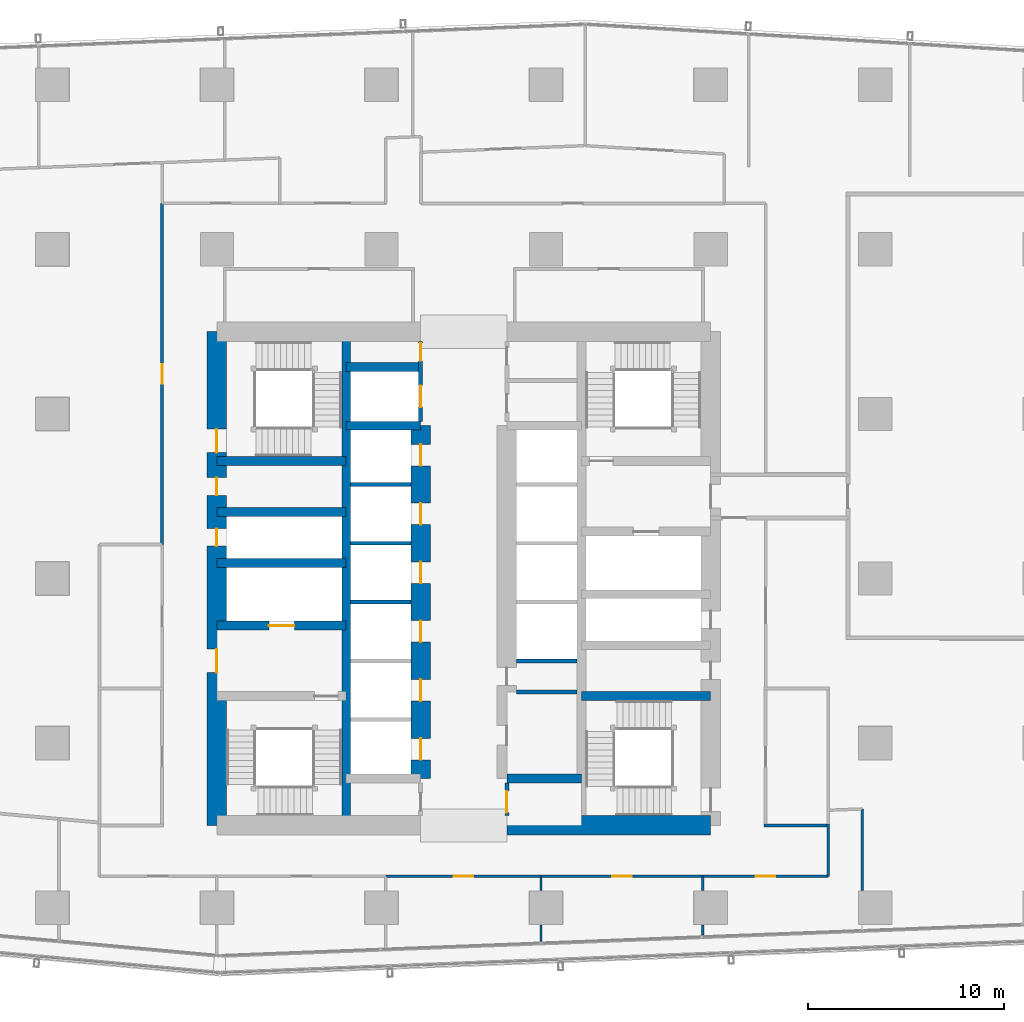
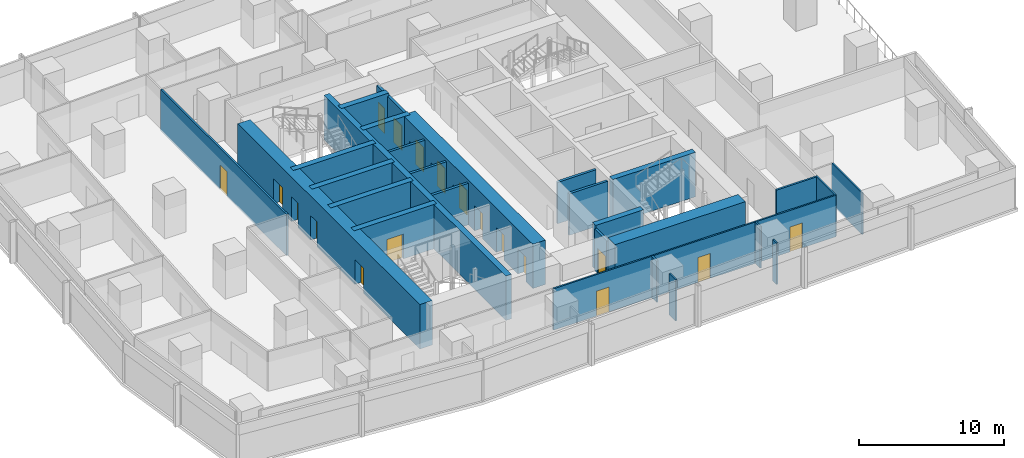
# One storey, part 29 of 40: 30 walls, 18 doors, 18 openings.
"""IFC4 building model written with IfcOpenShell, lengths in metres."""

from ifc_helpers import new_model, si_unit, direction, frame, frame_2d, origin, place, context, subcontext, project, spatial, rectangle, extrude, material, layer, layer_set, type_object, element, fill, save


model = new_model("IFC4")

# Units and contexts
model_context = context("Model", 3, precision=1e-05, world=origin(), true_north=direction((0.0, 1.0)))
body_context = subcontext(model_context, "Body", "Model", "MODEL_VIEW")
ifc_project = project(units=[si_unit("LENGTHUNIT", "METRE"), si_unit("AREAUNIT", "SQUARE_METRE"), si_unit("VOLUMEUNIT", "CUBIC_METRE"), si_unit("PLANEANGLEUNIT", "RADIAN"), si_unit("MASSUNIT", "GRAM", prefix="KILO")], contexts=[model_context])

# Site, building, storey
site_placement = place(None, origin())
site = spatial("IfcSite", under=ifc_project, at=site_placement, CompositionType="ELEMENT")
building_placement = place(site_placement, origin())
building = spatial("IfcBuilding", under=site, at=building_placement, Name="Rekha Terrace Tower", CompositionType="ELEMENT")
storey_placement = place(building_placement, frame((0.0, 0.0, 99.050048828125)))
storey = spatial("IfcBuildingStorey", under=building, at=storey_placement, Name="L24", CompositionType="ELEMENT", Elevation=99.050048828125)

# Walls
ifc_material_1 = material(Name="Concrete M70", Category="concrete")
ifc_layer_1 = layer(ifc_material_1, 0.449951171875)
ifc_layer_set_1 = layer_set([ifc_layer_1], Name="Concrete M70")
wall_type_1 = type_object("IfcWallType", Name="CI2 450 core internal shear wall", PredefinedType="SHEAR", material=ifc_layer_set_1)
wall_1_placement = place(storey_placement, frame((31.800048828125, 21.0, 0.0), z_axis=(0.0, 0.0, 1.0), x_axis=(0.0, 1.0, 0.0)))
element("IfcWall", 1, at=wall_1_placement, inside=storey, type_object=wall_type_1, Name="Core wall X318 L24", PredefinedType="SHEAR", context=body_context, shape_type="SweptSolid", body=[
    extrude(rectangle(XDim=25.199951171875, YDim=0.449951171875, at=frame_2d((12.60009765625, 0.0))), origin(), (0.0, 0.0, 1.0), 3.75),
])
for number, where, z_axis, x_axis, name in (
    (2, (31.800048828125, 41.39990234375, 0.0), (0.0, 0.0, 1.0), (1.0, 0.0, 0.0), "Core wall Y414W L24"),
    (3, (31.800048828125, 44.39990234375, 0.0), (0.0, 0.0, 1.0), (1.0, 0.0, 0.0), "Core wall Y444W L24"),
    (4, (40.0, 23.39990234375, 0.0), (0.0, 0.0, 1.0), (1.0, 0.0, 0.0), "Core wall Y234E L24"),
):
    element("IfcWall", number, at=place(storey_placement, frame(where, z_axis=z_axis, x_axis=x_axis)), inside=storey, type_object=wall_type_1, Name=name, PredefinedType="SHEAR", context=body_context, shape_type="SweptSolid", body=[
        extrude(rectangle(XDim=3.800048828125, YDim=0.449951171875, at=frame_2d((1.89990234375, 0.0))), origin(), (0.0, 0.0, 1.0), 3.75),
    ])

# Wall, opening, door
wall_2_placement = place(storey_placement, frame((25.199951171875, 31.199951171875, 0.0), z_axis=(0.0, 0.0, 1.0), x_axis=(1.0, 0.0, 0.0)))
wall_2 = element("IfcWall", 5, at=wall_2_placement, inside=storey, type_object=wall_type_1, Name="Core wall Y312W L24", PredefinedType="SHEAR", context=body_context, shape_type="SweptSolid", body=[
    extrude(rectangle(XDim=6.60009765625, YDim=0.449951171875, at=frame_2d((3.300048828125, 0.0))), origin(), (0.0, 0.0, 1.0), 3.75),
])
opening_1_placement = place(wall_2_placement, frame((2.64990234375, 0.0, 0.0)))
opening_1 = element("IfcOpeningElement", 6, at=opening_1_placement, cuts=wall_2, Name="Opening LD2", PredefinedType="OPENING", context=body_context, shape_type="SweptSolid", body=[
    extrude(rectangle(XDim=1.300048828125, YDim=2.10009765625, at=frame_2d((0.64990234375, 1.050048828125))), frame((0.0, 0.23486328125, 0.0), z_axis=(0.0, -1.0, 0.0), x_axis=(1.0, 0.0, 0.0)), (0.0, 0.0, 1.0), 0.469970703125),
])
ifc_material_2 = material(Name="Stainless steel sliding landing door", Category="steel")
door_type_1 = type_object("IfcDoorType", Name="LD2 1300x2100 fire lift landing door", OperationType="SLIDING_TO_LEFT", PredefinedType="USERDEFINED", material=ifc_material_2)
door_1_placement = place(opening_1_placement, origin())
door_1 = element("IfcDoor", 7, at=door_1_placement, inside=storey, type_object=door_type_1, Name="Lift FL1 landing door L24", ObjectType="LIFT LANDING DOOR", OperationType="SLIDING_TO_LEFT", OverallHeight=2.10009765625, OverallWidth=1.300048828125, PredefinedType="USERDEFINED", context=body_context, shape_type="SweptSolid", body=[
    extrude(rectangle(XDim=1.300048828125, YDim=2.10009765625, at=frame_2d((0.64990234375, 1.050048828125))), frame((0.0, 0.02490234375, 0.0), z_axis=(0.0, -1.0, 0.0), x_axis=(1.0, 0.0, 0.0)), (0.0, 0.0, 1.0), 0.050048828125),
])
fill(opening_1, door_1)

# Walls
for number, where, z_axis, x_axis, name in (
    (8, (25.199951171875, 34.39990234375, 0.0), (0.0, 0.0, 1.0), (1.0, 0.0, 0.0), "Core wall Y344W L24"),
    (9, (25.199951171875, 37.0, 0.0), (0.0, 0.0, 1.0), (1.0, 0.0, 0.0), "Core wall Y370W L24"),
    (10, (25.199951171875, 39.60009765625, 0.0), (0.0, 0.0, 1.0), (1.0, 0.0, 0.0), "Core wall Y396W L24"),
):
    element("IfcWall", number, at=place(storey_placement, frame(where, z_axis=z_axis, x_axis=x_axis)), inside=storey, type_object=wall_type_1, Name=name, PredefinedType="SHEAR", context=body_context, shape_type="SweptSolid", body=[
        extrude(rectangle(XDim=6.60009765625, YDim=0.449951171875, at=frame_2d((3.300048828125, 0.0))), origin(), (0.0, 0.0, 1.0), 3.75),
    ])
wall_3_placement = place(storey_placement, frame((43.800048828125, 27.60009765625, 0.0), z_axis=(0.0, 0.0, 1.0), x_axis=(1.0, 0.0, 0.0)))
element("IfcWall", 11, at=wall_3_placement, inside=storey, type_object=wall_type_1, Name="Core wall Y276E L24", PredefinedType="SHEAR", context=body_context, shape_type="SweptSolid", body=[
    extrude(rectangle(XDim=6.599853515625, YDim=0.449951171875, at=frame_2d((3.2998046875, 0.0))), origin(), (0.0, 0.0, 1.0), 3.75),
])

# Wall, openings, doors
ifc_layer_2 = layer(ifc_material_1, 1.0)
ifc_layer_set_2 = layer_set([ifc_layer_2], Name="Concrete M70")
wall_type_2 = type_object("IfcWallType", Name="LW2 1000 core lobby wall at an outrigger level", PredefinedType="SHEAR", material=ifc_layer_set_2)
wall_4_placement = place(storey_placement, frame((35.60009765625, 23.39990234375, 0.0), z_axis=(0.0, 0.0, 1.0), x_axis=(0.0, 1.0, 0.0)))
wall_4 = element("IfcWall", 12, at=wall_4_placement, inside=storey, type_object=wall_type_2, Name="Core wall X356 L24", PredefinedType="SHEAR", context=body_context, shape_type="SweptSolid", body=[
    extrude(rectangle(XDim=18.0, YDim=1.0, at=frame_2d((9.0, 0.0))), origin(), (0.0, 0.0, 1.0), 3.75),
])
opening_2_placement = place(wall_4_placement, frame((0.949951171875, 0.0, 0.0)))
opening_2 = element("IfcOpeningElement", 13, at=opening_2_placement, cuts=wall_4, Name="Opening LD1", PredefinedType="OPENING", context=body_context, shape_type="SweptSolid", body=[
    extrude(rectangle(XDim=1.10009765625, YDim=2.10009765625, at=frame_2d((0.550048828125, 1.050048828125))), frame((0.0, 0.510009765625, 0.0), z_axis=(0.0, -1.0, 0.0), x_axis=(1.0, 0.0, 0.0)), (0.0, 0.0, 1.0), 1.02001953125),
])
opening_3_placement = place(wall_4_placement, frame((3.949951171875, 0.0, 0.0)))
opening_3 = element("IfcOpeningElement", 14, at=opening_3_placement, cuts=wall_4, Name="Opening LD1", PredefinedType="OPENING", context=body_context, shape_type="SweptSolid", body=[
    extrude(rectangle(XDim=1.10009765625, YDim=2.10009765625, at=frame_2d((0.550048828125, 1.050048828125))), frame((0.0, 0.510009765625, 0.0), z_axis=(0.0, -1.0, 0.0), x_axis=(1.0, 0.0, 0.0)), (0.0, 0.0, 1.0), 1.02001953125),
])
opening_4_placement = place(wall_4_placement, frame((6.949951171875, 0.0, 0.0)))
opening_4 = element("IfcOpeningElement", 15, at=opening_4_placement, cuts=wall_4, Name="Opening LD1", PredefinedType="OPENING", context=body_context, shape_type="SweptSolid", body=[
    extrude(rectangle(XDim=1.10009765625, YDim=2.10009765625, at=frame_2d((0.550048828125, 1.050048828125))), frame((0.0, 0.510009765625, 0.0), z_axis=(0.0, -1.0, 0.0), x_axis=(1.0, 0.0, 0.0)), (0.0, 0.0, 1.0), 1.02001953125),
])
opening_5_placement = place(wall_4_placement, frame((9.949951171875, 0.0, 0.0)))
opening_5 = element("IfcOpeningElement", 16, at=opening_5_placement, cuts=wall_4, Name="Opening LD1", PredefinedType="OPENING", context=body_context, shape_type="SweptSolid", body=[
    extrude(rectangle(XDim=1.10009765625, YDim=2.10009765625, at=frame_2d((0.550048828125, 1.050048828125))), frame((0.0, 0.510009765625, 0.0), z_axis=(0.0, -1.0, 0.0), x_axis=(1.0, 0.0, 0.0)), (0.0, 0.0, 1.0), 1.02001953125),
])
opening_6_placement = place(wall_4_placement, frame((12.949951171875, 0.0, 0.0)))
opening_6 = element("IfcOpeningElement", 17, at=opening_6_placement, cuts=wall_4, Name="Opening LD1", PredefinedType="OPENING", context=body_context, shape_type="SweptSolid", body=[
    extrude(rectangle(XDim=1.10009765625, YDim=2.10009765625, at=frame_2d((0.550048828125, 1.050048828125))), frame((0.0, 0.510009765625, 0.0), z_axis=(0.0, -1.0, 0.0), x_axis=(1.0, 0.0, 0.0)), (0.0, 0.0, 1.0), 1.02001953125),
])
opening_7_placement = place(wall_4_placement, frame((15.949951171875, 0.0, 0.0)))
opening_7 = element("IfcOpeningElement", 18, at=opening_7_placement, cuts=wall_4, Name="Opening LD1", PredefinedType="OPENING", context=body_context, shape_type="SweptSolid", body=[
    extrude(rectangle(XDim=1.10009765625, YDim=2.10009765625, at=frame_2d((0.550048828125, 1.050048828125))), frame((0.0, 0.510009765625, 0.0), z_axis=(0.0, -1.0, 0.0), x_axis=(1.0, 0.0, 0.0)), (0.0, 0.0, 1.0), 1.02001953125),
])
door_type_2 = type_object("IfcDoorType", Name="LD1 1100x2100 lift landing door", OperationType="SLIDING_TO_LEFT", PredefinedType="USERDEFINED", material=ifc_material_2)
door_2_placement = place(opening_2_placement, origin())
door_2 = element("IfcDoor", 19, at=door_2_placement, inside=storey, type_object=door_type_2, Name="Lift B1 landing door L24", ObjectType="LIFT LANDING DOOR", OperationType="SLIDING_TO_LEFT", OverallHeight=2.10009765625, OverallWidth=1.10009765625, PredefinedType="USERDEFINED", context=body_context, shape_type="SweptSolid", body=[
    extrude(rectangle(XDim=1.10009765625, YDim=2.10009765625, at=frame_2d((0.550048828125, 1.050048828125))), frame((0.0, 0.02490234375, 0.0), z_axis=(0.0, -1.0, 0.0), x_axis=(1.0, 0.0, 0.0)), (0.0, 0.0, 1.0), 0.050048828125),
])
fill(opening_2, door_2)
door_3_placement = place(opening_3_placement, origin())
door_3 = element("IfcDoor", 20, at=door_3_placement, inside=storey, type_object=door_type_2, Name="Lift B2 landing door L24", ObjectType="LIFT LANDING DOOR", OperationType="SLIDING_TO_LEFT", OverallHeight=2.10009765625, OverallWidth=1.10009765625, PredefinedType="USERDEFINED", context=body_context, shape_type="SweptSolid", body=[
    extrude(rectangle(XDim=1.10009765625, YDim=2.10009765625, at=frame_2d((0.550048828125, 1.050048828125))), frame((0.0, 0.02490234375, 0.0), z_axis=(0.0, -1.0, 0.0), x_axis=(1.0, 0.0, 0.0)), (0.0, 0.0, 1.0), 0.050048828125),
])
fill(opening_3, door_3)
door_4_placement = place(opening_4_placement, origin())
door_4 = element("IfcDoor", 21, at=door_4_placement, inside=storey, type_object=door_type_2, Name="Lift B3 landing door L24", ObjectType="LIFT LANDING DOOR", OperationType="SLIDING_TO_LEFT", OverallHeight=2.10009765625, OverallWidth=1.10009765625, PredefinedType="USERDEFINED", context=body_context, shape_type="SweptSolid", body=[
    extrude(rectangle(XDim=1.10009765625, YDim=2.10009765625, at=frame_2d((0.550048828125, 1.050048828125))), frame((0.0, 0.02490234375, 0.0), z_axis=(0.0, -1.0, 0.0), x_axis=(1.0, 0.0, 0.0)), (0.0, 0.0, 1.0), 0.050048828125),
])
fill(opening_4, door_4)
door_5_placement = place(opening_5_placement, origin())
door_5 = element("IfcDoor", 22, at=door_5_placement, inside=storey, type_object=door_type_2, Name="Lift B4 landing door L24", ObjectType="LIFT LANDING DOOR", OperationType="SLIDING_TO_LEFT", OverallHeight=2.10009765625, OverallWidth=1.10009765625, PredefinedType="USERDEFINED", context=body_context, shape_type="SweptSolid", body=[
    extrude(rectangle(XDim=1.10009765625, YDim=2.10009765625, at=frame_2d((0.550048828125, 1.050048828125))), frame((0.0, 0.02490234375, 0.0), z_axis=(0.0, -1.0, 0.0), x_axis=(1.0, 0.0, 0.0)), (0.0, 0.0, 1.0), 0.050048828125),
])
fill(opening_5, door_5)
door_6_placement = place(opening_6_placement, origin())
door_6 = element("IfcDoor", 23, at=door_6_placement, inside=storey, type_object=door_type_2, Name="Lift B5 landing door L24", ObjectType="LIFT LANDING DOOR", OperationType="SLIDING_TO_LEFT", OverallHeight=2.10009765625, OverallWidth=1.10009765625, PredefinedType="USERDEFINED", context=body_context, shape_type="SweptSolid", body=[
    extrude(rectangle(XDim=1.10009765625, YDim=2.10009765625, at=frame_2d((0.550048828125, 1.050048828125))), frame((0.0, 0.02490234375, 0.0), z_axis=(0.0, -1.0, 0.0), x_axis=(1.0, 0.0, 0.0)), (0.0, 0.0, 1.0), 0.050048828125),
])
fill(opening_6, door_6)
door_7_placement = place(opening_7_placement, origin())
door_7 = element("IfcDoor", 24, at=door_7_placement, inside=storey, type_object=door_type_2, Name="Lift B6 landing door L24", ObjectType="LIFT LANDING DOOR", OperationType="SLIDING_TO_LEFT", OverallHeight=2.10009765625, OverallWidth=1.10009765625, PredefinedType="USERDEFINED", context=body_context, shape_type="SweptSolid", body=[
    extrude(rectangle(XDim=1.10009765625, YDim=2.10009765625, at=frame_2d((0.550048828125, 1.050048828125))), frame((0.0, 0.02490234375, 0.0), z_axis=(0.0, -1.0, 0.0), x_axis=(1.0, 0.0, 0.0)), (0.0, 0.0, 1.0), 0.050048828125),
])
fill(opening_7, door_7)

# Wall
ifc_layer_3 = layer(ifc_material_1, 1.0)
ifc_layer_set_3 = layer_set([ifc_layer_3], Name="Concrete M70")
wall_type_3 = type_object("IfcWallType", Name="SW2 1000 core outer shear wall", PredefinedType="SHEAR", material=ifc_layer_set_3)
wall_5_placement = place(storey_placement, frame((40.0, 21.0, 0.0), z_axis=(0.0, 0.0, 1.0), x_axis=(1.0, 0.0, 0.0)))
element("IfcWall", 25, at=wall_5_placement, inside=storey, type_object=wall_type_3, Name="Core wall S2 L24", PredefinedType="SHEAR", context=body_context, shape_type="SweptSolid", body=[
    extrude(rectangle(XDim=10.39990234375, YDim=1.0, at=frame_2d((5.199951171875, 0.0))), origin(), (0.0, 0.0, 1.0), 3.75),
])

# Wall, openings, doors
wall_6_placement = place(storey_placement, frame((25.199951171875, 21.0, 0.0), z_axis=(0.0, 0.0, 1.0), x_axis=(0.0, 1.0, 0.0)))
wall_6 = element("IfcWall", 26, at=wall_6_placement, inside=storey, type_object=wall_type_3, Name="Core wall W L24", PredefinedType="SHEAR", context=body_context, shape_type="SweptSolid", body=[
    extrude(rectangle(XDim=25.199951171875, YDim=1.0, at=frame_2d((12.60009765625, 0.0))), origin(), (0.0, 0.0, 1.0), 3.75),
])
opening_8_placement = place(wall_6_placement, frame((7.800048828125, 0.0, 0.0)))
opening_8 = element("IfcOpeningElement", 27, at=opening_8_placement, cuts=wall_6, Name="Opening D2", PredefinedType="OPENING", context=body_context, shape_type="SweptSolid", body=[
    extrude(rectangle(XDim=1.199951171875, YDim=2.10009765625, at=frame_2d((0.60009765625, 1.050048828125))), frame((0.0, 0.510009765625, 0.0), z_axis=(0.0, -1.0, 0.0), x_axis=(1.0, 0.0, 0.0)), (0.0, 0.0, 1.0), 1.02001953125),
])
opening_9_placement = place(wall_6_placement, frame((14.25, 0.0, 0.0)))
opening_9 = element("IfcOpeningElement", 28, at=opening_9_placement, cuts=wall_6, Name="Opening D5", PredefinedType="OPENING", context=body_context, shape_type="SweptSolid", body=[
    extrude(rectangle(XDim=0.89990234375, YDim=2.10009765625, at=frame_2d((0.449951171875, 1.050048828125))), frame((0.0, 0.510009765625, 0.0), z_axis=(0.0, -1.0, 0.0), x_axis=(1.0, 0.0, 0.0)), (0.0, 0.0, 1.0), 1.02001953125),
])
opening_10_placement = place(wall_6_placement, frame((16.85009765625, 0.0, 0.0)))
opening_10 = element("IfcOpeningElement", 29, at=opening_10_placement, cuts=wall_6, Name="Opening D5", PredefinedType="OPENING", context=body_context, shape_type="SweptSolid", body=[
    extrude(rectangle(XDim=0.89990234375, YDim=2.10009765625, at=frame_2d((0.449951171875, 1.050048828125))), frame((0.0, 0.510009765625, 0.0), z_axis=(0.0, -1.0, 0.0), x_axis=(1.0, 0.0, 0.0)), (0.0, 0.0, 1.0), 1.02001953125),
])
opening_11_placement = place(wall_6_placement, frame((19.02490234375, 0.0, 0.0)))
opening_11 = element("IfcOpeningElement", 30, at=opening_11_placement, cuts=wall_6, Name="Opening D1", PredefinedType="OPENING", context=body_context, shape_type="SweptSolid", body=[
    extrude(rectangle(XDim=1.199951171875, YDim=2.10009765625, at=frame_2d((0.60009765625, 1.050048828125))), frame((0.0, 0.510009765625, 0.0), z_axis=(0.0, -1.0, 0.0), x_axis=(1.0, 0.0, 0.0)), (0.0, 0.0, 1.0), 1.02001953125),
])
ifc_material_3 = material(Name="Steel fire door", Category="steel")
door_type_3 = type_object("IfcDoorType", Name="D1 1200x2100 stair fire door", OperationType="SINGLE_SWING_RIGHT", PredefinedType="DOOR", material=ifc_material_3)
door_8_placement = place(opening_11_placement, origin())
door_8 = element("IfcDoor", 31, at=door_8_placement, inside=storey, type_object=door_type_3, Name="Stair ST4 door L24", OperationType="SINGLE_SWING_RIGHT", OverallHeight=2.10009765625, OverallWidth=1.199951171875, PredefinedType="DOOR", context=body_context, shape_type="SweptSolid", body=[
    extrude(rectangle(XDim=1.199951171875, YDim=2.10009765625, at=frame_2d((0.60009765625, 1.050048828125))), frame((0.0, 0.02490234375, 0.0), z_axis=(0.0, -1.0, 0.0), x_axis=(1.0, 0.0, 0.0)), (0.0, 0.0, 1.0), 0.050048828125),
])
fill(opening_11, door_8)
door_type_4 = type_object("IfcDoorType", Name="D2 1200x2100 firefighting lobby door", OperationType="SINGLE_SWING_LEFT", PredefinedType="DOOR", material=ifc_material_3)
door_9_placement = place(opening_8_placement, origin())
door_9 = element("IfcDoor", 32, at=door_9_placement, inside=storey, type_object=door_type_4, Name="Door flb1 L24", OperationType="SINGLE_SWING_LEFT", OverallHeight=2.10009765625, OverallWidth=1.199951171875, PredefinedType="DOOR", context=body_context, shape_type="SweptSolid", body=[
    extrude(rectangle(XDim=1.199951171875, YDim=2.10009765625, at=frame_2d((0.60009765625, 1.050048828125))), frame((0.0, 0.02490234375, 0.0), z_axis=(0.0, -1.0, 0.0), x_axis=(1.0, 0.0, 0.0)), (0.0, 0.0, 1.0), 0.050048828125),
])
fill(opening_8, door_9)
door_type_5 = type_object("IfcDoorType", Name="D5 900x2100 riser access door", OperationType="SINGLE_SWING_LEFT", PredefinedType="DOOR", material=ifc_material_3)
door_10_placement = place(opening_9_placement, origin())
door_10 = element("IfcDoor", 33, at=door_10_placement, inside=storey, type_object=door_type_5, Name="Door rs1 L24", OperationType="SINGLE_SWING_LEFT", OverallHeight=2.10009765625, OverallWidth=0.89990234375, PredefinedType="DOOR", context=body_context, shape_type="SweptSolid", body=[
    extrude(rectangle(XDim=0.89990234375, YDim=2.10009765625, at=frame_2d((0.449951171875, 1.050048828125))), frame((0.0, 0.02490234375, 0.0), z_axis=(0.0, -1.0, 0.0), x_axis=(1.0, 0.0, 0.0)), (0.0, 0.0, 1.0), 0.050048828125),
])
fill(opening_9, door_10)
door_11_placement = place(opening_10_placement, origin())
door_11 = element("IfcDoor", 34, at=door_11_placement, inside=storey, type_object=door_type_5, Name="Door elw L24", OperationType="SINGLE_SWING_LEFT", OverallHeight=2.10009765625, OverallWidth=0.89990234375, PredefinedType="DOOR", context=body_context, shape_type="SweptSolid", body=[
    extrude(rectangle(XDim=0.89990234375, YDim=2.10009765625, at=frame_2d((0.449951171875, 1.050048828125))), frame((0.0, 0.02490234375, 0.0), z_axis=(0.0, -1.0, 0.0), x_axis=(1.0, 0.0, 0.0)), (0.0, 0.0, 1.0), 0.050048828125),
])
fill(opening_10, door_11)

# Wall
ifc_material_4 = material(Name="Concrete block masonry, 1 hour", Category="masonry")
ifc_layer_4 = layer(ifc_material_4, 0.14990234375)
ifc_layer_set_4 = layer_set([ifc_layer_4], Name="Concrete block masonry, 1 hour")
wall_type_4 = type_object("IfcWallType", Name="WP2 150 tenancy partition", PredefinedType="PARTITIONING", material=ifc_layer_set_4)
wall_7_placement = place(storey_placement, frame((53.125, 21.0, 0.0), z_axis=(0.0, 0.0, 1.0), x_axis=(1.0, 0.0, 0.0)))
element("IfcWall", 35, at=wall_7_placement, inside=storey, type_object=wall_type_4, Name="Men's WC wall L24", PredefinedType="PARTITIONING", context=body_context, shape_type="SweptSolid", body=[
    extrude(rectangle(XDim=3.35009765625, YDim=0.14990234375, at=frame_2d((1.675048828125, 0.0))), origin(), (0.0, 0.0, 1.0), 3.5),
])

# Wall, opening, door
wall_8_placement = place(storey_placement, frame((22.39990234375, 52.75, 0.0), z_axis=(0.0, 0.0, 1.0), x_axis=(0.0, -1.0, 0.0)))
wall_8 = element("IfcWall", 36, at=wall_8_placement, inside=storey, type_object=wall_type_4, Name="Partition L24-O2b", PredefinedType="PARTITIONING", context=body_context, shape_type="SweptSolid", body=[
    extrude(rectangle(XDim=17.406005859375, YDim=0.14990234375, at=frame_2d((8.703125, 0.0))), origin(), (0.0, 0.0, 1.0), 3.5),
])
opening_12_placement = place(wall_8_placement, frame((8.202880859375, 0.0, 0.0)))
opening_12 = element("IfcOpeningElement", 37, at=opening_12_placement, cuts=wall_8, Name="Opening D9", PredefinedType="OPENING", context=body_context, shape_type="SweptSolid", body=[
    extrude(rectangle(XDim=1.0, YDim=2.10009765625, at=frame_2d((0.5, 1.050048828125))), frame((0.0, 0.0849609375, 0.0), z_axis=(0.0, -1.0, 0.0), x_axis=(1.0, 0.0, 0.0)), (0.0, 0.0, 1.0), 0.169921875),
])
ifc_material_5 = material(Name="Timber fire door", Category="wood")
door_type_6 = type_object("IfcDoorType", Name="D9 1000x2100 office door", OperationType="SINGLE_SWING_LEFT", PredefinedType="DOOR", material=ifc_material_5)
door_12_placement = place(opening_12_placement, origin())
door_12 = element("IfcDoor", 38, at=door_12_placement, inside=storey, type_object=door_type_6, Name="Door open-plan office L24", OperationType="SINGLE_SWING_LEFT", OverallHeight=2.10009765625, OverallWidth=1.0, PredefinedType="DOOR", context=body_context, shape_type="SweptSolid", body=[
    extrude(rectangle(XDim=1.0, YDim=2.10009765625, at=frame_2d((0.5, 1.050048828125))), frame((0.0, 0.02490234375, 0.0), z_axis=(0.0, -1.0, 0.0), x_axis=(1.0, 0.0, 0.0)), (0.0, 0.0, 1.0), 0.050048828125),
])
fill(opening_12, door_12)

# Walls
ifc_material_6 = material(Name="Two layers of fire-rated gypsum board each side on steel studs, acoustic quilt, 1 hour", Category="steel")
ifc_layer_5 = layer(ifc_material_6, 0.125)
ifc_layer_set_5 = layer_set([ifc_layer_5], Name="Two layers of fire-rated gypsum board each side on steel studs, acoustic quilt, 1 hour")
wall_type_5 = type_object("IfcWallType", Name="WP3 125 office partition", PredefinedType="PARTITIONING", material=ifc_layer_set_5)
wall_9_placement = place(storey_placement, frame((41.740966796875, 15.080078125, 0.0), z_axis=(0.0, 0.0, 1.0), x_axis=(0.0, 1.0, 0.0)))
element("IfcWall", 39, at=wall_9_placement, inside=storey, type_object=wall_type_5, Name="Partition L24-11", PredefinedType="PARTITIONING", context=body_context, shape_type="SweptSolid", body=[
    extrude(rectangle(XDim=0.849853515625, YDim=0.125, at=frame_2d((0.4248046875, 0.0))), origin(), (0.0, 0.0, 1.0), 3.5),
])
wall_10_placement = place(storey_placement, frame((41.740966796875, 17.669921875, 0.0), z_axis=(0.0, 0.0, 1.0), x_axis=(0.0, 1.0, 0.0)))
element("IfcWall", 40, at=wall_10_placement, inside=storey, type_object=wall_type_5, Name="Partition L24-11", PredefinedType="PARTITIONING", context=body_context, shape_type="SweptSolid", body=[
    extrude(rectangle(XDim=0.72998046875, YDim=0.125, at=frame_2d((0.364990234375, 0.0))), origin(), (0.0, 0.0, 1.0), 3.5),
])

# Wall, opening, door
wall_11_placement = place(storey_placement, frame((41.740966796875, 18.39990234375, 0.0), z_axis=(0.0, 0.0, 1.0), x_axis=(1.0, 0.0, 0.0)))
wall_11 = element("IfcWall", 41, at=wall_11_placement, inside=storey, type_object=wall_type_5, Name="Partition L24-11", PredefinedType="PARTITIONING", context=body_context, shape_type="SweptSolid", body=[
    extrude(rectangle(XDim=8.258056640625, YDim=0.125, at=frame_2d((4.12890625, 0.0))), origin(), (0.0, 0.0, 1.0), 3.5),
])
opening_13_placement = place(wall_11_placement, frame((3.62890625, 0.0, 0.0)))
opening_13 = element("IfcOpeningElement", 42, at=opening_13_placement, cuts=wall_11, Name="Opening D9", PredefinedType="OPENING", context=body_context, shape_type="SweptSolid", body=[
    extrude(rectangle(XDim=1.0, YDim=2.10009765625, at=frame_2d((0.5, 1.050048828125))), frame((0.0, 0.072509765625, 0.0), z_axis=(0.0, -1.0, 0.0), x_axis=(1.0, 0.0, 0.0)), (0.0, 0.0, 1.0), 0.14501953125),
])
door_13_placement = place(opening_13_placement, origin())
door_13 = element("IfcDoor", 43, at=door_13_placement, inside=storey, type_object=door_type_6, Name="Door storage room L24", OperationType="SINGLE_SWING_LEFT", OverallHeight=2.10009765625, OverallWidth=1.0, PredefinedType="DOOR", context=body_context, shape_type="SweptSolid", body=[
    extrude(rectangle(XDim=1.0, YDim=2.10009765625, at=frame_2d((0.5, 1.050048828125))), frame((0.0, 0.02490234375, 0.0), z_axis=(0.0, -1.0, 0.0), x_axis=(1.0, 0.0, 0.0)), (0.0, 0.0, 1.0), 0.050048828125),
])
fill(opening_13, door_13)

# Walls
wall_12_placement = place(storey_placement, frame((49.9990234375, 18.39990234375, 0.0), z_axis=(0.0, 0.0, 1.0), x_axis=(0.0, -1.0, 0.0)))
element("IfcWall", 44, at=wall_12_placement, inside=storey, type_object=wall_type_5, Name="Partition L24-11", PredefinedType="PARTITIONING", context=body_context, shape_type="SweptSolid", body=[
    extrude(rectangle(XDim=0.72998046875, YDim=0.125, at=frame_2d((0.364990234375, 0.0))), origin(), (0.0, 0.0, 1.0), 3.5),
])
wall_13_placement = place(storey_placement, frame((49.9990234375, 15.929931640625, 0.0), z_axis=(0.0, 0.0, 1.0), x_axis=(0.0, -1.0, 0.0)))
element("IfcWall", 45, at=wall_13_placement, inside=storey, type_object=wall_type_5, Name="Partition L24-11", PredefinedType="PARTITIONING", context=body_context, shape_type="SweptSolid", body=[
    extrude(rectangle(XDim=0.529052734375, YDim=0.125, at=frame_2d((0.2646484375, 0.0))), origin(), (0.0, 0.0, 1.0), 3.5),
])
wall_14_placement = place(storey_placement, frame((58.133056640625, 21.843017578125, 0.0), z_axis=(0.0, 0.0, 1.0), x_axis=(0.0, -1.0, 0.0)))
element("IfcWall", 46, at=wall_14_placement, inside=storey, type_object=wall_type_5, Name="Partition L24-12", PredefinedType="PARTITIONING", context=body_context, shape_type="SweptSolid", body=[
    extrude(rectangle(XDim=4.173095703125, YDim=0.125, at=frame_2d((2.08642578125, 0.0))), origin(), (0.0, 0.0, 1.0), 3.5),
])

# Wall, opening, door
wall_15_placement = place(storey_placement, frame((50.0, 18.39990234375, 0.0), z_axis=(0.0, 0.0, 1.0), x_axis=(1.0, 0.0, 0.0)))
wall_15 = element("IfcWall", 47, at=wall_15_placement, inside=storey, type_object=wall_type_5, Name="Partition L24-12", PredefinedType="PARTITIONING", context=body_context, shape_type="SweptSolid", body=[
    extrude(rectangle(XDim=6.39990234375, YDim=0.125, at=frame_2d((3.199951171875, 0.0))), origin(), (0.0, 0.0, 1.0), 3.5),
])
opening_14_placement = place(wall_15_placement, frame((2.699951171875, 0.0, 0.0)))
opening_14 = element("IfcOpeningElement", 48, at=opening_14_placement, cuts=wall_15, Name="Opening D9", PredefinedType="OPENING", context=body_context, shape_type="SweptSolid", body=[
    extrude(rectangle(XDim=1.0, YDim=2.10009765625, at=frame_2d((0.5, 1.050048828125))), frame((0.0, 0.072509765625, 0.0), z_axis=(0.0, -1.0, 0.0), x_axis=(1.0, 0.0, 0.0)), (0.0, 0.0, 1.0), 0.14501953125),
])
door_14_placement = place(opening_14_placement, origin())
door_14 = element("IfcDoor", 49, at=door_14_placement, inside=storey, type_object=door_type_6, Name="Door training and meeting room L24", OperationType="SINGLE_SWING_LEFT", OverallHeight=2.10009765625, OverallWidth=1.0, PredefinedType="DOOR", context=body_context, shape_type="SweptSolid", body=[
    extrude(rectangle(XDim=1.0, YDim=2.10009765625, at=frame_2d((0.5, 1.050048828125))), frame((0.0, 0.02490234375, 0.0), z_axis=(0.0, -1.0, 0.0), x_axis=(1.0, 0.0, 0.0)), (0.0, 0.0, 1.0), 0.050048828125),
])
fill(opening_14, door_14)

# Wall
wall_16_placement = place(storey_placement, frame((56.39990234375, 18.39990234375, 0.0), z_axis=(0.0, 0.0, 1.0), x_axis=(0.0, 1.0, 0.0)))
element("IfcWall", 50, at=wall_16_placement, inside=storey, type_object=wall_type_5, Name="Partition L24-12", PredefinedType="PARTITIONING", context=body_context, shape_type="SweptSolid", body=[
    extrude(rectangle(XDim=2.675048828125, YDim=0.125, at=frame_2d((1.33740234375, 0.0))), origin(), (0.0, 0.0, 1.0), 3.5),
])

# Wall, opening, door
wall_17_placement = place(storey_placement, frame((33.825927734375, 18.39990234375, 0.0), z_axis=(0.0, 0.0, 1.0), x_axis=(1.0, 0.0, 0.0)))
wall_17 = element("IfcWall", 51, at=wall_17_placement, inside=storey, type_object=wall_type_5, Name="Partition L24-18", PredefinedType="PARTITIONING", context=body_context, shape_type="SweptSolid", body=[
    extrude(rectangle(XDim=7.9140625, YDim=0.125, at=frame_2d((3.95703125, 0.0))), origin(), (0.0, 0.0, 1.0), 3.5),
])
opening_15_placement = place(wall_17_placement, frame((3.45703125, 0.0, 0.0)))
opening_15 = element("IfcOpeningElement", 52, at=opening_15_placement, cuts=wall_17, Name="Opening D9", PredefinedType="OPENING", context=body_context, shape_type="SweptSolid", body=[
    extrude(rectangle(XDim=1.0, YDim=2.10009765625, at=frame_2d((0.5, 1.050048828125))), frame((0.0, 0.072509765625, 0.0), z_axis=(0.0, -1.0, 0.0), x_axis=(1.0, 0.0, 0.0)), (0.0, 0.0, 1.0), 0.14501953125),
])
door_15_placement = place(opening_15_placement, origin())
door_15 = element("IfcDoor", 53, at=door_15_placement, inside=storey, type_object=door_type_6, Name="Door pantry L24", OperationType="SINGLE_SWING_LEFT", OverallHeight=2.10009765625, OverallWidth=1.0, PredefinedType="DOOR", context=body_context, shape_type="SweptSolid", body=[
    extrude(rectangle(XDim=1.0, YDim=2.10009765625, at=frame_2d((0.5, 1.050048828125))), frame((0.0, 0.02490234375, 0.0), z_axis=(0.0, -1.0, 0.0), x_axis=(1.0, 0.0, 0.0)), (0.0, 0.0, 1.0), 0.050048828125),
])
fill(opening_15, door_15)

# Walls
ifc_material_7 = material(Name="Solid concrete block masonry, 2 hour", Category="masonry")
ifc_layer_6 = layer(ifc_material_7, 0.199951171875)
ifc_layer_set_6 = layer_set([ifc_layer_6], Name="Solid concrete block masonry, 2 hour")
wall_type_6 = type_object("IfcWallType", Name="WS1 200 stair and shaft enclosure", PredefinedType="PARTITIONING", material=ifc_layer_set_6)
for number, where, z_axis, x_axis, name in (
    (54, (32.02490234375, 32.39990234375, 0.0), (0.0, 0.0, 1.0), (1.0, 0.0, 0.0), "Lift shaft divider L24"),
    (55, (32.02490234375, 35.39990234375, 0.0), (0.0, 0.0, 1.0), (1.0, 0.0, 0.0), "Lift shaft divider L24"),
    (56, (32.02490234375, 38.39990234375, 0.0), (0.0, 0.0, 1.0), (1.0, 0.0, 0.0), "Lift shaft divider L24"),
):
    element("IfcWall", number, at=place(storey_placement, frame(where, z_axis=z_axis, x_axis=x_axis)), inside=storey, type_object=wall_type_6, Name=name, PredefinedType="PARTITIONING", context=body_context, shape_type="SweptSolid", body=[
        extrude(rectangle(XDim=3.0751953125, YDim=0.199951171875, at=frame_2d((1.53759765625, 0.0))), origin(), (0.0, 0.0, 1.0), 3.5),
    ])
wall_18_placement = place(storey_placement, frame((40.5, 29.39990234375, 0.0), z_axis=(0.0, 0.0, 1.0), x_axis=(1.0, 0.0, 0.0)))
element("IfcWall", 57, at=wall_18_placement, inside=storey, type_object=wall_type_6, Name="Lift shaft divider L24", PredefinedType="PARTITIONING", context=body_context, shape_type="SweptSolid", body=[
    extrude(rectangle(XDim=3.074951171875, YDim=0.199951171875, at=frame_2d((1.53759765625, 0.0))), origin(), (0.0, 0.0, 1.0), 3.5),
])

# Wall, opening, door
wall_19_placement = place(storey_placement, frame((40.0, 21.5, 0.0), z_axis=(0.0, 0.0, 1.0), x_axis=(0.0, 1.0, 0.0)))
wall_19 = element("IfcWall", 58, at=wall_19_placement, inside=storey, type_object=wall_type_6, Name="Core partition wca L24", PredefinedType="PARTITIONING", context=body_context, shape_type="SweptSolid", body=[
    extrude(rectangle(XDim=1.675048828125, YDim=0.199951171875, at=frame_2d((0.83740234375, 0.0))), origin(), (0.0, 0.0, 1.0), 3.5),
])
opening_16_placement = place(wall_19_placement, frame((0.14990234375, 0.0, 0.0)))
opening_16 = element("IfcOpeningElement", 59, at=opening_16_placement, cuts=wall_19, Name="Opening D4", PredefinedType="OPENING", context=body_context, shape_type="SweptSolid", body=[
    extrude(rectangle(XDim=1.10009765625, YDim=2.10009765625, at=frame_2d((0.550048828125, 1.050048828125))), frame((0.0, 0.10986328125, 0.0), z_axis=(0.0, -1.0, 0.0), x_axis=(1.0, 0.0, 0.0)), (0.0, 0.0, 1.0), 0.219970703125),
])
ifc_material_8 = material(Name="Laminated timber fire door", Category="wood")
door_type_7 = type_object("IfcDoorType", Name="D4 1100x2100 accessible WC door", OperationType="SLIDING_TO_LEFT", PredefinedType="DOOR", material=ifc_material_8)
door_16_placement = place(opening_16_placement, origin())
door_16 = element("IfcDoor", 60, at=door_16_placement, inside=storey, type_object=door_type_7, Name="Door wca L24", OperationType="SLIDING_TO_LEFT", OverallHeight=2.10009765625, OverallWidth=1.10009765625, PredefinedType="DOOR", context=body_context, shape_type="SweptSolid", body=[
    extrude(rectangle(XDim=1.10009765625, YDim=2.10009765625, at=frame_2d((0.550048828125, 1.050048828125))), frame((0.0, 0.02490234375, 0.0), z_axis=(0.0, -1.0, 0.0), x_axis=(1.0, 0.0, 0.0)), (0.0, 0.0, 1.0), 0.050048828125),
])
fill(opening_16, door_16)

# Wall, openings, doors
wall_20_placement = place(storey_placement, frame((35.60009765625, 41.625, 0.0), z_axis=(0.0, 0.0, 1.0), x_axis=(0.0, 1.0, 0.0)))
wall_20 = element("IfcWall", 61, at=wall_20_placement, inside=storey, type_object=wall_type_6, Name="Core partition jansv L24", PredefinedType="PARTITIONING", context=body_context, shape_type="SweptSolid", body=[
    extrude(rectangle(XDim=4.074951171875, YDim=0.199951171875, at=frame_2d((2.03759765625, 0.0))), origin(), (0.0, 0.0, 1.0), 3.5),
])
opening_17_placement = place(wall_20_placement, frame((3.087890625, 0.0, 0.0)))
opening_17 = element("IfcOpeningElement", 62, at=opening_17_placement, cuts=wall_20, Name="Opening D5", PredefinedType="OPENING", context=body_context, shape_type="SweptSolid", body=[
    extrude(rectangle(XDim=0.89990234375, YDim=2.10009765625, at=frame_2d((0.449951171875, 1.050048828125))), frame((0.0, 0.10986328125, 0.0), z_axis=(0.0, -1.0, 0.0), x_axis=(1.0, 0.0, 0.0)), (0.0, 0.0, 1.0), 0.219970703125),
])
opening_18_placement = place(wall_20_placement, frame((0.72509765625, 0.0, 0.0)))
opening_18 = element("IfcOpeningElement", 63, at=opening_18_placement, cuts=wall_20, Name="Opening LD1", PredefinedType="OPENING", context=body_context, shape_type="SweptSolid", body=[
    extrude(rectangle(XDim=1.10009765625, YDim=2.10009765625, at=frame_2d((0.550048828125, 1.050048828125))), frame((0.0, 0.10986328125, 0.0), z_axis=(0.0, -1.0, 0.0), x_axis=(1.0, 0.0, 0.0)), (0.0, 0.0, 1.0), 0.219970703125),
])
door_17_placement = place(opening_17_placement, origin())
door_17 = element("IfcDoor", 64, at=door_17_placement, inside=storey, type_object=door_type_5, Name="Door janitor room L24", OperationType="SINGLE_SWING_LEFT", OverallHeight=2.10009765625, OverallWidth=0.89990234375, PredefinedType="DOOR", context=body_context, shape_type="SweptSolid", body=[
    extrude(rectangle(XDim=0.89990234375, YDim=2.10009765625, at=frame_2d((0.449951171875, 1.050048828125))), frame((0.0, 0.02490234375, 0.0), z_axis=(0.0, -1.0, 0.0), x_axis=(1.0, 0.0, 0.0)), (0.0, 0.0, 1.0), 0.050048828125),
])
fill(opening_17, door_17)
door_18_placement = place(opening_18_placement, origin())
door_18 = element("IfcDoor", 65, at=door_18_placement, inside=storey, type_object=door_type_2, Name="Lift SV1 landing door L24", ObjectType="LIFT LANDING DOOR", OperationType="SLIDING_TO_LEFT", OverallHeight=2.10009765625, OverallWidth=1.10009765625, PredefinedType="USERDEFINED", context=body_context, shape_type="SweptSolid", body=[
    extrude(rectangle(XDim=1.10009765625, YDim=2.10009765625, at=frame_2d((0.550048828125, 1.050048828125))), frame((0.0, 0.02490234375, 0.0), z_axis=(0.0, -1.0, 0.0), x_axis=(1.0, 0.0, 0.0)), (0.0, 0.0, 1.0), 0.050048828125),
])
fill(opening_18, door_18)

# Wall
wall_21_placement = place(storey_placement, frame((40.5, 27.800048828125, 0.0), z_axis=(0.0, 0.0, 1.0), x_axis=(1.0, 0.0, 0.0)))
element("IfcWall", 66, at=wall_21_placement, inside=storey, type_object=wall_type_6, Name="Core partition freed shafts L24", PredefinedType="PARTITIONING", context=body_context, shape_type="SweptSolid", body=[
    extrude(rectangle(XDim=3.074951171875, YDim=0.199951171875, at=frame_2d((1.53759765625, 0.0))), origin(), (0.0, 0.0, 1.0), 3.5),
])

save(model, "model.ifc")
